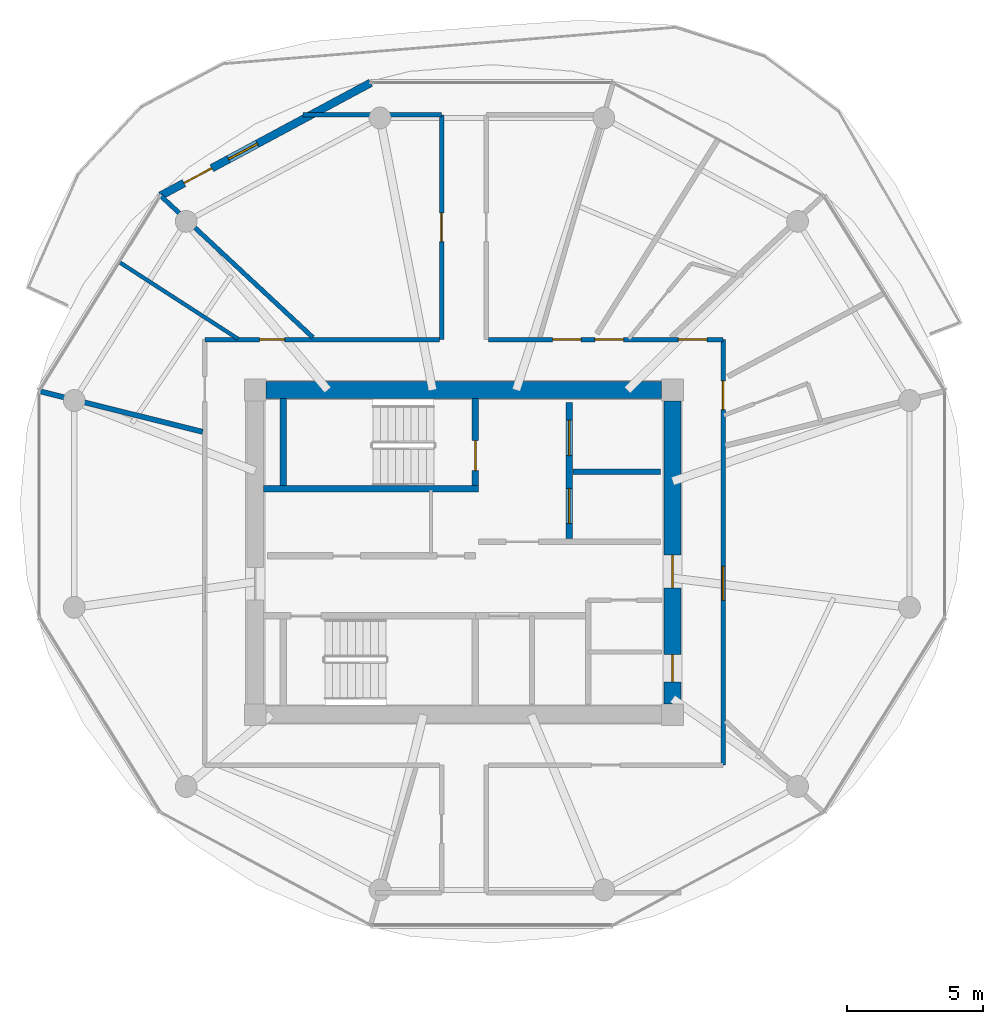
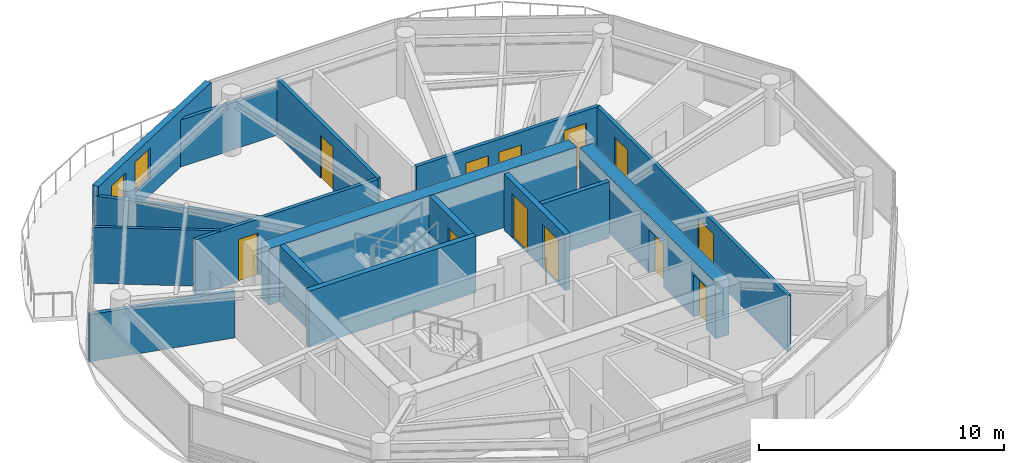
# One storey, part 13 of 21: 16 walls, 13 doors, 1 window, 14 openings.
"""IFC4 building model written with IfcOpenShell, lengths in metres."""

from ifc_helpers import new_model, si_unit, direction, frame, frame_2d, origin, place, context, subcontext, project, spatial, rectangle, extrude, source, transform, mapped, material, layer, layer_set, type_object, type_shapes, element, fill, save


model = new_model("IFC4")

# Units and contexts
model_context = context("Model", 3, precision=1e-05, world=origin(), true_north=direction((0.0, 1.0)))
body_context = subcontext(model_context, "Body", "Model", "MODEL_VIEW")
ifc_project = project(units=[si_unit("LENGTHUNIT", "METRE"), si_unit("AREAUNIT", "SQUARE_METRE"), si_unit("VOLUMEUNIT", "CUBIC_METRE"), si_unit("PLANEANGLEUNIT", "RADIAN"), si_unit("MASSUNIT", "GRAM", prefix="KILO")], contexts=[model_context])

# Site, building, storey
site_placement = place(None, origin())
site = spatial("IfcSite", under=ifc_project, at=site_placement, CompositionType="ELEMENT")
building_placement = place(site_placement, origin())
building = spatial("IfcBuilding", under=site, at=building_placement, Name="Norrkilde Senior Care Towers", CompositionType="ELEMENT")
storey_placement = place(building_placement, frame((0.0, 0.0, 149.550048828125)))
storey = spatial("IfcBuildingStorey", under=building, at=storey_placement, Name="L46", CompositionType="ELEMENT", Elevation=149.550048828125)

# Wall
ifc_material_1 = material(Name="Concrete C50/60", Category="concrete")
ifc_layer_1 = layer(ifc_material_1, 0.6201171875)
ifc_layer_set_1 = layer_set([ifc_layer_1], Name="Concrete C50/60")
wall_type_1 = type_object("IfcWallType", Name="Core Shear Wall Z3 620", PredefinedType="SHEAR", material=ifc_layer_set_1)
shared_shape_1 = source(origin(), body_context, "Body", "SweptSolid", [
    extrude(rectangle(XDim=14.5, YDim=0.6201171875, at=frame_2d((7.25, 0.0))), origin(), (0.0, 0.0, 1.0), 2.81005859375),
])
wall_1_placement = place(storey_placement, frame((-35.25, 5.949951171875, 0.0), z_axis=(0.0, 0.0, 1.0), x_axis=(1.0, 0.0, 0.0)))
element("IfcWall", 1, at=wall_1_placement, inside=storey, type_object=wall_type_1, Name="L46 Core W North Shear Wall", PredefinedType="SHEAR", context=body_context, shape_type="MappedRepresentation", body=[
    mapped(shared_shape_1, transform((0.0, 0.0, 0.0), x_axis=(1.0, 0.0, 0.0), y_axis=(0.0, 1.0, 0.0), z_axis=(0.0, 0.0, 1.0), scale=1.0)),
])

# Wall, openings, doors
shared_shape_2 = source(origin(), body_context, "Body", "SweptSolid", [
    extrude(rectangle(XDim=11.10009765625, YDim=0.6201171875, at=frame_2d((5.550048828125, 0.0))), origin(), (0.0, 0.0, 1.0), 2.81005859375),
])
type_shapes(wall_type_1, [shared_shape_1, shared_shape_2])
wall_2_placement = place(storey_placement, frame((-20.35009765625, 5.550048828125, 0.0), z_axis=(0.0, 0.0, 1.0), x_axis=(0.0, -1.0, 0.0)))
wall_2 = element("IfcWall", 2, at=wall_2_placement, inside=storey, type_object=wall_type_1, Name="L46 Core W East Shear Wall", PredefinedType="SHEAR", context=body_context, shape_type="MappedRepresentation", body=[
    mapped(shared_shape_2, transform((0.0, 0.0, 0.0), x_axis=(1.0, 0.0, 0.0), y_axis=(0.0, 1.0, 0.0), z_axis=(0.0, 0.0, 1.0), scale=1.0)),
])
opening_1_placement = place(wall_2_placement, frame((5.64990234375, 0.0, 0.0)))
opening_1 = element("IfcOpeningElement", 3, at=opening_1_placement, cuts=wall_2, Name="Opening D-04", PredefinedType="OPENING", context=body_context, shape_type="SweptSolid", body=[
    extrude(rectangle(XDim=1.199951171875, YDim=2.14990234375, at=frame_2d((0.60009765625, 1.074951171875))), frame((0.0, 0.320068359375, 0.0), z_axis=(0.0, -1.0, 0.0), x_axis=(1.0, 0.0, 0.0)), (0.0, 0.0, 1.0), 0.64013671875),
])
opening_2_placement = place(wall_2_placement, frame((9.300048828125, 0.0, 0.0)))
opening_2 = element("IfcOpeningElement", 4, at=opening_2_placement, cuts=wall_2, Name="Opening D-10", PredefinedType="OPENING", context=body_context, shape_type="SweptSolid", body=[
    extrude(rectangle(XDim=1.0, YDim=2.10009765625, at=frame_2d((0.5, 1.050048828125))), frame((0.0, 0.320068359375, 0.0), z_axis=(0.0, -1.0, 0.0), x_axis=(1.0, 0.0, 0.0)), (0.0, 0.0, 1.0), 0.64013671875),
])
ifc_material_2 = material(Name="Galvanised Painted Steel", Category="steel")
door_type_1 = type_object("IfcDoorType", Name="Firefighting Lobby Fire Door 1200x2150", OperationType="NOTDEFINED", PredefinedType="DOOR", material=ifc_material_2)
shared_shape_3 = source(origin(), body_context, "Body", "SweptSolid", [
    extrude(rectangle(XDim=1.199951171875, YDim=2.14990234375, at=frame_2d((0.60009765625, 1.074951171875))), frame((0.0, 0.02490234375, 0.0), z_axis=(0.0, -1.0, 0.0), x_axis=(1.0, 0.0, 0.0)), (0.0, 0.0, 1.0), 0.050048828125),
])
type_shapes(door_type_1, [shared_shape_3])
door_1_placement = place(opening_1_placement, frame((1.199951171875, 0.0, 0.0), z_axis=(0.0, 0.0, 1.0), x_axis=(-1.0, 0.0, 0.0)))
door_1 = element("IfcDoor", 5, at=door_1_placement, inside=storey, type_object=door_type_1, Name="L46 Core W East Portal Door", OperationType="SINGLE_SWING_RIGHT", OverallHeight=2.14990234375, OverallWidth=1.199951171875, PredefinedType="DOOR", context=body_context, shape_type="MappedRepresentation", body=[
    mapped(shared_shape_3, transform((0.0, 0.0, 0.0), x_axis=(1.0, 0.0, 0.0), y_axis=(0.0, 1.0, 0.0), z_axis=(0.0, 0.0, 1.0), scale=1.0)),
])
fill(opening_1, door_1)
door_type_2 = type_object("IfcDoorType", Name="Plant and Riser Rated Door 1000x2100", OperationType="NOTDEFINED", PredefinedType="DOOR", material=ifc_material_2)
shared_shape_4 = source(origin(), body_context, "Body", "SweptSolid", [
    extrude(rectangle(XDim=1.0, YDim=2.10009765625, at=frame_2d((0.5, 1.050048828125))), frame((0.0, 0.02490234375, 0.0), z_axis=(0.0, -1.0, 0.0), x_axis=(1.0, 0.0, 0.0)), (0.0, 0.0, 1.0), 0.050048828125),
])
type_shapes(door_type_2, [shared_shape_4])
door_2_placement = place(opening_2_placement, frame((1.0, 0.0, 0.0), z_axis=(0.0, 0.0, 1.0), x_axis=(-1.0, 0.0, 0.0)))
door_2 = element("IfcDoor", 6, at=door_2_placement, inside=storey, type_object=door_type_2, Name="L46 Ventilation Riser W Door", OperationType="SINGLE_SWING_RIGHT", OverallHeight=2.10009765625, OverallWidth=1.0, PredefinedType="DOOR", context=body_context, shape_type="MappedRepresentation", body=[
    mapped(shared_shape_4, transform((0.0, 0.0, 0.0), x_axis=(1.0, 0.0, 0.0), y_axis=(0.0, 1.0, 0.0), z_axis=(0.0, 0.0, 1.0), scale=1.0)),
])
fill(opening_2, door_2)

# Wall, openings, door, window
ifc_material_3 = material(Name="Precast concrete C45/55", Category="concrete")
ifc_layer_2 = layer(ifc_material_3, 0.2900390625)
ifc_layer_set_2 = layer_set([ifc_layer_2], Name="Precast concrete C45/55")
wall_type_2 = type_object("IfcWallType", Name="Winter Garden Facade Wall 290", PredefinedType="SOLIDWALL", material=ifc_layer_set_2)
shared_shape_5 = source(origin(), body_context, "Body", "SweptSolid", [
    extrude(rectangle(XDim=8.74169921875, YDim=0.2900390625, at=frame_2d((4.370849609375, 0.0))), origin(), (0.0, 0.0, 1.0), 2.81005859375),
])
type_shapes(wall_type_2, [shared_shape_5])
wall_3_placement = place(storey_placement, frame((-39.123046875, 13.074951171875, 0.0), z_axis=(0.0, 0.0, 1.0), x_axis=(0.880992489116, 0.473130250693, 0.0)))
wall_3 = element("IfcWall", 7, at=wall_3_placement, inside=storey, type_object=wall_type_2, Name="L46 Drum W Balcony Access Wall 03", PredefinedType="SOLIDWALL", context=body_context, shape_type="MappedRepresentation", body=[
    mapped(shared_shape_5, transform((0.0, 0.0, 0.0), x_axis=(1.0, 0.0, 0.0), y_axis=(0.0, 1.0, 0.0), z_axis=(0.0, 0.0, 1.0), scale=1.0)),
])
opening_3_placement = place(wall_3_placement, frame((0.97998046875, 0.0, 0.0)))
opening_3 = element("IfcOpeningElement", 8, at=opening_3_placement, cuts=wall_3, Name="Opening D-09", PredefinedType="OPENING", context=body_context, shape_type="SweptSolid", body=[
    extrude(rectangle(XDim=1.14990234375, YDim=2.25, at=frame_2d((0.574951171875, 1.125))), frame((0.0, 0.155029296875, 0.0), z_axis=(0.0, -1.0, 0.0), x_axis=(1.0, 0.0, 0.0)), (0.0, 0.0, 1.0), 0.31005859375),
])
opening_4_placement = place(wall_3_placement, frame((2.830078125, 0.0, 0.85009765625)))
opening_4 = element("IfcOpeningElement", 9, at=opening_4_placement, cuts=wall_3, Name="Opening WN-07", PredefinedType="OPENING", context=body_context, shape_type="SweptSolid", body=[
    extrude(rectangle(XDim=1.199951171875, YDim=1.5, at=frame_2d((0.60009765625, 0.75))), frame((0.0, 0.155029296875, 0.0), z_axis=(0.0, -1.0, 0.0), x_axis=(1.0, 0.0, 0.0)), (0.0, 0.0, 1.0), 0.31005859375),
])
ifc_material_4 = material(Name="Anodised Aluminium", Category="aluminium")
door_type_3 = type_object("IfcDoorType", Name="Terrace and Balcony Glazed Door 1150x2250", OperationType="NOTDEFINED", PredefinedType="DOOR", material=ifc_material_4)
shared_shape_6 = source(origin(), body_context, "Body", "SweptSolid", [
    extrude(rectangle(XDim=1.14990234375, YDim=2.25, at=frame_2d((0.574951171875, 1.125))), frame((0.0, 0.02490234375, 0.0), z_axis=(0.0, -1.0, 0.0), x_axis=(1.0, 0.0, 0.0)), (0.0, 0.0, 1.0), 0.050048828125),
])
type_shapes(door_type_3, [shared_shape_6])
door_3_placement = place(opening_3_placement, origin())
door_3 = element("IfcDoor", 10, at=door_3_placement, inside=storey, type_object=door_type_3, Name="L46 Drum W Outdoor Terrace Door 03", OperationType="SINGLE_SWING_RIGHT", OverallHeight=2.25, OverallWidth=1.14990234375, PredefinedType="DOOR", context=body_context, shape_type="MappedRepresentation", body=[
    mapped(shared_shape_6, transform((0.0, 0.0, 0.0), x_axis=(1.0, 0.0, 0.0), y_axis=(0.0, 1.0, 0.0), z_axis=(0.0, 0.0, 1.0), scale=1.0)),
])
fill(opening_3, door_3)
ifc_material_5 = material(Name="Triple Low-E Insulated Glazing", Category="glass")
window_type = type_object("IfcWindowType", Name="Stairwell Smoke Vent Window 1200x1500", PartitioningType="SINGLE_PANEL", PredefinedType="WINDOW", material=ifc_material_5)
shared_shape_7 = source(origin(), body_context, "Body", "SweptSolid", [
    extrude(rectangle(XDim=1.199951171875, YDim=1.5, at=frame_2d((0.60009765625, 0.75))), frame((0.0, 0.030029296875, 0.0), z_axis=(0.0, -1.0, 0.0), x_axis=(1.0, 0.0, 0.0)), (0.0, 0.0, 1.0), 0.06005859375),
])
type_shapes(window_type, [shared_shape_7])
window_placement = place(opening_4_placement, origin())
window = element("IfcWindow", 11, at=window_placement, inside=storey, type_object=window_type, Name="L46 Drum W Winter Garden Window 03", OverallHeight=1.5, OverallWidth=1.199951171875, PartitioningType="SINGLE_PANEL", PredefinedType="WINDOW", context=body_context, shape_type="MappedRepresentation", body=[
    mapped(shared_shape_7, transform((0.0, 0.0, 0.0), x_axis=(1.0, 0.0, 0.0), y_axis=(0.0, 1.0, 0.0), z_axis=(0.0, 0.0, 1.0), scale=1.0)),
])
fill(opening_4, window)

# Walls
ifc_material_6 = material(Name="Concrete C45/55", Category="concrete")
ifc_layer_3 = layer(ifc_material_6, 0.239990234375)
ifc_layer_set_3 = layer_set([ifc_layer_3], Name="Concrete C45/55")
wall_type_3 = type_object("IfcWallType", Name="Shaft and Stair Enclosure Wall 240", PredefinedType="PARTITIONING", material=ifc_layer_set_3)
shared_shape_8 = source(origin(), body_context, "Body", "SweptSolid", [
    extrude(rectangle(XDim=7.880126953125, YDim=0.239990234375, at=frame_2d((3.93994140625, 0.0))), origin(), (0.0, 0.0, 1.0), 2.81005859375),
])
wall_4_placement = place(storey_placement, frame((-35.340087890625, 2.330078125, 0.0), z_axis=(0.0, 0.0, 1.0), x_axis=(1.0, 0.0, 0.0)))
element("IfcWall", 12, at=wall_4_placement, inside=storey, type_object=wall_type_3, Name="WL-INT-L46-W-ST1S", PredefinedType="PARTITIONING", context=body_context, shape_type="MappedRepresentation", body=[
    mapped(shared_shape_8, transform((0.0, 0.0, 0.0), x_axis=(1.0, 0.0, 0.0), y_axis=(0.0, 1.0, 0.0), z_axis=(0.0, 0.0, 1.0), scale=1.0)),
])
shared_shape_9 = source(origin(), body_context, "Body", "SweptSolid", [
    extrude(rectangle(XDim=3.18994140625, YDim=0.239990234375, at=frame_2d((1.594970703125, 0.0))), origin(), (0.0, 0.0, 1.0), 2.81005859375),
])
type_shapes(wall_type_3, [shared_shape_8, shared_shape_9])
wall_5_placement = place(storey_placement, frame((-34.6201171875, 2.449951171875, 0.0), z_axis=(0.0, 0.0, 1.0), x_axis=(0.0, 1.0, 0.0)))
element("IfcWall", 13, at=wall_5_placement, inside=storey, type_object=wall_type_3, Name="WL-INT-L46-W-ST1W", PredefinedType="PARTITIONING", context=body_context, shape_type="MappedRepresentation", body=[
    mapped(shared_shape_9, transform((0.0, 0.0, 0.0), x_axis=(1.0, 0.0, 0.0), y_axis=(0.0, 1.0, 0.0), z_axis=(0.0, 0.0, 1.0), scale=1.0)),
])

# Wall, opening, door
wall_6_placement = place(storey_placement, frame((-27.580078125, 2.449951171875, 0.0), z_axis=(0.0, 0.0, 1.0), x_axis=(0.0, 1.0, 0.0)))
wall_6 = element("IfcWall", 14, at=wall_6_placement, inside=storey, type_object=wall_type_3, Name="WL-INT-L46-W-ST1E", PredefinedType="PARTITIONING", context=body_context, shape_type="MappedRepresentation", body=[
    mapped(shared_shape_9, transform((0.0, 0.0, 0.0), x_axis=(1.0, 0.0, 0.0), y_axis=(0.0, 1.0, 0.0), z_axis=(0.0, 0.0, 1.0), scale=1.0)),
])
opening_5_placement = place(wall_6_placement, frame((0.550048828125, 0.0, 0.0)))
opening_5 = element("IfcOpeningElement", 15, at=opening_5_placement, cuts=wall_6, Name="Opening D-03", PredefinedType="OPENING", context=body_context, shape_type="SweptSolid", body=[
    extrude(rectangle(XDim=1.10009765625, YDim=2.14990234375, at=frame_2d((0.550048828125, 1.074951171875))), frame((0.0, 0.1298828125, 0.0), z_axis=(0.0, -1.0, 0.0), x_axis=(1.0, 0.0, 0.0)), (0.0, 0.0, 1.0), 0.260009765625),
])
door_type_4 = type_object("IfcDoorType", Name="Stairwell Protected Fire Door 1100x2150", OperationType="NOTDEFINED", PredefinedType="DOOR", material=ifc_material_2)
shared_shape_10 = source(origin(), body_context, "Body", "SweptSolid", [
    extrude(rectangle(XDim=1.10009765625, YDim=2.14990234375, at=frame_2d((0.550048828125, 1.074951171875))), frame((0.0, 0.02490234375, 0.0), z_axis=(0.0, -1.0, 0.0), x_axis=(1.0, 0.0, 0.0)), (0.0, 0.0, 1.0), 0.050048828125),
])
type_shapes(door_type_4, [shared_shape_10])
door_4_placement = place(opening_5_placement, origin())
door_4 = element("IfcDoor", 16, at=door_4_placement, inside=storey, type_object=door_type_4, Name="L46 Stair W1 Fire Door", OperationType="SINGLE_SWING_LEFT", OverallHeight=2.14990234375, OverallWidth=1.10009765625, PredefinedType="DOOR", context=body_context, shape_type="MappedRepresentation", body=[
    mapped(shared_shape_10, transform((0.0, 0.0, 0.0), x_axis=(1.0, 0.0, 0.0), y_axis=(0.0, 1.0, 0.0), z_axis=(0.0, 0.0, 1.0), scale=1.0)),
])
fill(opening_5, door_4)

# Wall, openings, doors
ifc_layer_4 = layer(ifc_material_6, 0.239990234375)
ifc_layer_set_4 = layer_set([ifc_layer_4], Name="Concrete C45/55")
wall_type_4 = type_object("IfcWallType", Name="Lift and Plant Rated Enclosure Partition 240", PredefinedType="PARTITIONING", material=ifc_layer_set_4)
shared_shape_11 = source(origin(), body_context, "Body", "SweptSolid", [
    extrude(rectangle(XDim=5.0, YDim=0.239990234375, at=frame_2d((2.5, 0.0))), origin(), (0.0, 0.0, 1.0), 2.794921875),
])
type_shapes(wall_type_4, [shared_shape_11])
wall_7_placement = place(storey_placement, frame((-24.139892578125, 0.5, 0.0), z_axis=(0.0, 0.0, 1.0), x_axis=(0.0, 1.0, 0.0)))
wall_7 = element("IfcWall", 17, at=wall_7_placement, inside=storey, type_object=wall_type_4, Name="WL-INT-L46-W-FFLE", PredefinedType="PARTITIONING", context=body_context, shape_type="MappedRepresentation", body=[
    mapped(shared_shape_11, transform((0.0, 0.0, 0.0), x_axis=(1.0, 0.0, 0.0), y_axis=(0.0, 1.0, 0.0), z_axis=(0.0, 0.0, 1.0), scale=1.0)),
])
opening_6_placement = place(wall_7_placement, frame((3.050048828125, 0.0, 0.0)))
opening_6 = element("IfcOpeningElement", 18, at=opening_6_placement, cuts=wall_7, Name="Opening LD-02", PredefinedType="OPENING", context=body_context, shape_type="SweptSolid", body=[
    extrude(rectangle(XDim=1.300048828125, YDim=2.199951171875, at=frame_2d((0.64990234375, 1.10009765625))), frame((0.0, 0.1298828125, 0.0), z_axis=(0.0, -1.0, 0.0), x_axis=(1.0, 0.0, 0.0)), (0.0, 0.0, 1.0), 0.260009765625),
])
opening_7_placement = place(wall_7_placement, frame((0.550048828125, 0.0, 0.0)))
opening_7 = element("IfcOpeningElement", 19, at=opening_7_placement, cuts=wall_7, Name="Opening LD-02", PredefinedType="OPENING", context=body_context, shape_type="SweptSolid", body=[
    extrude(rectangle(XDim=1.300048828125, YDim=2.199951171875, at=frame_2d((0.64990234375, 1.10009765625))), frame((0.0, 0.1298828125, 0.0), z_axis=(0.0, -1.0, 0.0), x_axis=(1.0, 0.0, 0.0)), (0.0, 0.0, 1.0), 0.260009765625),
])
ifc_material_7 = material(Name="Stainless Steel", Category="steel")
door_type_5 = type_object("IfcDoorType", Name="Stretcher and FFL Landing Sliding Door 1300x2200", OperationType="NOTDEFINED", PredefinedType="DOOR", material=ifc_material_7)
shared_shape_12 = source(origin(), body_context, "Body", "SweptSolid", [
    extrude(rectangle(XDim=1.300048828125, YDim=2.199951171875, at=frame_2d((0.64990234375, 1.10009765625))), frame((0.0, 0.02490234375, 0.0), z_axis=(0.0, -1.0, 0.0), x_axis=(1.0, 0.0, 0.0)), (0.0, 0.0, 1.0), 0.050048828125),
])
type_shapes(door_type_5, [shared_shape_12])
door_5_placement = place(opening_6_placement, origin())
door_5 = element("IfcDoor", 20, at=door_5_placement, inside=storey, type_object=door_type_5, Name="L46 Firefighting Lift W1 Landing Door", OperationType="SLIDING_TO_LEFT", OverallHeight=2.199951171875, OverallWidth=1.300048828125, PredefinedType="DOOR", context=body_context, shape_type="MappedRepresentation", body=[
    mapped(shared_shape_12, transform((0.0, 0.0, 0.0), x_axis=(1.0, 0.0, 0.0), y_axis=(0.0, 1.0, 0.0), z_axis=(0.0, 0.0, 1.0), scale=1.0)),
])
fill(opening_6, door_5)
door_6_placement = place(opening_7_placement, origin())
door_6 = element("IfcDoor", 21, at=door_6_placement, inside=storey, type_object=door_type_5, Name="L46 Stretcher Lift W1 Landing Door", OperationType="SLIDING_TO_RIGHT", OverallHeight=2.199951171875, OverallWidth=1.300048828125, PredefinedType="DOOR", context=body_context, shape_type="MappedRepresentation", body=[
    mapped(shared_shape_12, transform((0.0, 0.0, 0.0), x_axis=(1.0, 0.0, 0.0), y_axis=(0.0, 1.0, 0.0), z_axis=(0.0, 0.0, 1.0), scale=1.0)),
])
fill(opening_7, door_6)

# Wall
ifc_layer_5 = layer(ifc_material_6, 0.199951171875)
ifc_layer_set_5 = layer_set([ifc_layer_5], Name="Concrete C45/55")
wall_type_5 = type_object("IfcWallType", Name="Shaft Division and Plant Partition 200", PredefinedType="PARTITIONING", material=ifc_layer_set_5)
shared_shape_13 = source(origin(), body_context, "Body", "SweptSolid", [
    extrude(rectangle(XDim=3.199951171875, YDim=0.199951171875, at=frame_2d((1.60009765625, 0.0))), origin(), (0.0, 0.0, 1.0), 2.794921875),
])
type_shapes(wall_type_5, [shared_shape_13])
wall_8_placement = place(storey_placement, frame((-24.0, 2.949951171875, 0.0), z_axis=(0.0, 0.0, 1.0), x_axis=(1.0, 0.0, 0.0)))
element("IfcWall", 22, at=wall_8_placement, inside=storey, type_object=wall_type_5, Name="WL-INT-L46-W-FFLDIV", PredefinedType="PARTITIONING", context=body_context, shape_type="MappedRepresentation", body=[
    mapped(shared_shape_13, transform((0.0, 0.0, 0.0), x_axis=(1.0, 0.0, 0.0), y_axis=(0.0, 1.0, 0.0), z_axis=(0.0, 0.0, 1.0), scale=1.0)),
])

# Wall, opening, door
ifc_material_8 = material(Name="Gypsum Acoustic Board")
ifc_layer_6 = layer(ifc_material_8, 0.1650390625)
ifc_layer_set_6 = layer_set([ifc_layer_6], Name="Gypsum Acoustic Board")
wall_type_6 = type_object("IfcWallType", Name="Corridor Rated Partition 165", PredefinedType="PARTITIONING", material=ifc_layer_set_6)
shared_shape_14 = source(origin(), body_context, "Body", "SweptSolid", [
    extrude(rectangle(XDim=8.60009765625, YDim=0.1650390625, at=frame_2d((4.300048828125, 0.0))), origin(), (0.0, 0.0, 1.0), 2.794921875),
])
wall_9_placement = place(storey_placement, frame((-37.5, 7.800048828125, 0.0), z_axis=(0.0, 0.0, 1.0), x_axis=(1.0, 0.0, 0.0)))
wall_9 = element("IfcWall", 23, at=wall_9_placement, inside=storey, type_object=wall_type_6, Name="WL-INT-L46-W-CRW-N-0", PredefinedType="PARTITIONING", context=body_context, shape_type="MappedRepresentation", body=[
    mapped(shared_shape_14, transform((0.0, 0.0, 0.0), x_axis=(1.0, 0.0, 0.0), y_axis=(0.0, 1.0, 0.0), z_axis=(0.0, 0.0, 1.0), scale=1.0)),
])
opening_8_placement = place(wall_9_placement, frame((2.008544921875, 0.0, 0.0)))
opening_8 = element("IfcOpeningElement", 24, at=opening_8_placement, cuts=wall_9, Name="Opening D-08", PredefinedType="OPENING", context=body_context, shape_type="SweptSolid", body=[
    extrude(rectangle(XDim=0.919921875, YDim=2.10009765625, at=frame_2d((0.4599609375, 1.050048828125))), frame((0.0, 0.092529296875, 0.0), z_axis=(0.0, -1.0, 0.0), x_axis=(1.0, 0.0, 0.0)), (0.0, 0.0, 1.0), 0.18505859375),
])
ifc_material_9 = material(Name="Nordic Ash Timber", Category="wood")
door_type_6 = type_object("IfcDoorType", Name="Accessible Wet Room Door 920x2100", OperationType="NOTDEFINED", PredefinedType="DOOR", material=ifc_material_9)
shared_shape_15 = source(origin(), body_context, "Body", "SweptSolid", [
    extrude(rectangle(XDim=0.919921875, YDim=2.10009765625, at=frame_2d((0.4599609375, 1.050048828125))), frame((0.0, 0.02490234375, 0.0), z_axis=(0.0, -1.0, 0.0), x_axis=(1.0, 0.0, 0.0)), (0.0, 0.0, 1.0), 0.050048828125),
])
type_shapes(door_type_6, [shared_shape_15])
door_7_placement = place(opening_8_placement, frame((0.919921875, 0.0, 0.0), z_axis=(0.0, 0.0, 1.0), x_axis=(-1.0, 0.0, 0.0)))
door_7 = element("IfcDoor", 25, at=door_7_placement, inside=storey, type_object=door_type_6, Name="L46 Accessible Restroom Door", OperationType="SINGLE_SWING_LEFT", OverallHeight=2.10009765625, OverallWidth=0.919921875, PredefinedType="DOOR", context=body_context, shape_type="MappedRepresentation", body=[
    mapped(shared_shape_15, transform((0.0, 0.0, 0.0), x_axis=(1.0, 0.0, 0.0), y_axis=(0.0, 1.0, 0.0), z_axis=(0.0, 0.0, 1.0), scale=1.0)),
])
fill(opening_8, door_7)

# Wall, openings, doors
wall_10_placement = place(storey_placement, frame((-27.10009765625, 7.800048828125, 0.0), z_axis=(0.0, 0.0, 1.0), x_axis=(1.0, 0.0, 0.0)))
wall_10 = element("IfcWall", 26, at=wall_10_placement, inside=storey, type_object=wall_type_6, Name="WL-INT-L46-W-CRW-N-1", PredefinedType="PARTITIONING", context=body_context, shape_type="MappedRepresentation", body=[
    mapped(shared_shape_14, transform((0.0, 0.0, 0.0), x_axis=(1.0, 0.0, 0.0), y_axis=(0.0, 1.0, 0.0), z_axis=(0.0, 0.0, 1.0), scale=1.0)),
])
opening_9_placement = place(wall_10_placement, frame((6.9599609375, 0.0, 0.0)))
opening_9 = element("IfcOpeningElement", 27, at=opening_9_placement, cuts=wall_10, Name="Opening D-06", PredefinedType="OPENING", context=body_context, shape_type="SweptSolid", body=[
    extrude(rectangle(XDim=1.050048828125, YDim=2.14990234375, at=frame_2d((0.52490234375, 1.074951171875))), frame((0.0, 0.092529296875, 0.0), z_axis=(0.0, -1.0, 0.0), x_axis=(1.0, 0.0, 0.0)), (0.0, 0.0, 1.0), 0.18505859375),
])
opening_10_placement = place(wall_10_placement, frame((3.904052734375, 0.0, 0.0)))
opening_10 = element("IfcOpeningElement", 28, at=opening_10_placement, cuts=wall_10, Name="Opening D-06", PredefinedType="OPENING", context=body_context, shape_type="SweptSolid", body=[
    extrude(rectangle(XDim=1.050048828125, YDim=2.14990234375, at=frame_2d((0.52490234375, 1.074951171875))), frame((0.0, 0.092529296875, 0.0), z_axis=(0.0, -1.0, 0.0), x_axis=(1.0, 0.0, 0.0)), (0.0, 0.0, 1.0), 0.18505859375),
])
opening_11_placement = place(wall_10_placement, frame((2.347412109375, 0.0, 0.0)))
opening_11 = element("IfcOpeningElement", 29, at=opening_11_placement, cuts=wall_10, Name="Opening D-06", PredefinedType="OPENING", context=body_context, shape_type="SweptSolid", body=[
    extrude(rectangle(XDim=1.050048828125, YDim=2.14990234375, at=frame_2d((0.52490234375, 1.074951171875))), frame((0.0, 0.092529296875, 0.0), z_axis=(0.0, -1.0, 0.0), x_axis=(1.0, 0.0, 0.0)), (0.0, 0.0, 1.0), 0.18505859375),
])
door_type_7 = type_object("IfcDoorType", Name="Apartment Entrance Fire Door 1050x2150", OperationType="NOTDEFINED", PredefinedType="DOOR", material=ifc_material_9)
shared_shape_16 = source(origin(), body_context, "Body", "SweptSolid", [
    extrude(rectangle(XDim=1.050048828125, YDim=2.14990234375, at=frame_2d((0.52490234375, 1.074951171875))), frame((0.0, 0.02490234375, 0.0), z_axis=(0.0, -1.0, 0.0), x_axis=(1.0, 0.0, 0.0)), (0.0, 0.0, 1.0), 0.050048828125),
])
type_shapes(door_type_7, [shared_shape_16])
door_8_placement = place(opening_9_placement, frame((1.050048828125, 0.0, 0.0), z_axis=(0.0, 0.0, 1.0), x_axis=(-1.0, 0.0, 0.0)))
door_8 = element("IfcDoor", 30, at=door_8_placement, inside=storey, type_object=door_type_7, Name="L46 Therapy Day Lounge 00 Door", OperationType="SINGLE_SWING_RIGHT", OverallHeight=2.14990234375, OverallWidth=1.050048828125, PredefinedType="DOOR", context=body_context, shape_type="MappedRepresentation", body=[
    mapped(shared_shape_16, transform((0.0, 0.0, 0.0), x_axis=(1.0, 0.0, 0.0), y_axis=(0.0, 1.0, 0.0), z_axis=(0.0, 0.0, 1.0), scale=1.0)),
])
fill(opening_9, door_8)
door_9_placement = place(opening_10_placement, frame((1.050048828125, 0.0, 0.0), z_axis=(0.0, 0.0, 1.0), x_axis=(-1.0, 0.0, 0.0)))
door_9 = element("IfcDoor", 31, at=door_9_placement, inside=storey, type_object=door_type_7, Name="L46 Care Suite 4601A Entrance Door", OperationType="SINGLE_SWING_LEFT", OverallHeight=2.14990234375, OverallWidth=1.050048828125, PredefinedType="DOOR", context=body_context, shape_type="MappedRepresentation", body=[
    mapped(shared_shape_16, transform((0.0, 0.0, 0.0), x_axis=(1.0, 0.0, 0.0), y_axis=(0.0, 1.0, 0.0), z_axis=(0.0, 0.0, 1.0), scale=1.0)),
])
fill(opening_10, door_9)
door_10_placement = place(opening_11_placement, frame((1.050048828125, 0.0, 0.0), z_axis=(0.0, 0.0, 1.0), x_axis=(-1.0, 0.0, 0.0)))
door_10 = element("IfcDoor", 32, at=door_10_placement, inside=storey, type_object=door_type_7, Name="L46 Therapy Day Lounge 01 Door", OperationType="SINGLE_SWING_LEFT", OverallHeight=2.14990234375, OverallWidth=1.050048828125, PredefinedType="DOOR", context=body_context, shape_type="MappedRepresentation", body=[
    mapped(shared_shape_16, transform((0.0, 0.0, 0.0), x_axis=(1.0, 0.0, 0.0), y_axis=(0.0, 1.0, 0.0), z_axis=(0.0, 0.0, 1.0), scale=1.0)),
])
fill(opening_11, door_10)

shared_shape_17 = source(origin(), body_context, "Body", "SweptSolid", [
    extrude(rectangle(XDim=15.60009765625, YDim=0.1650390625, at=frame_2d((7.800048828125, 0.0))), origin(), (0.0, 0.0, 1.0), 2.794921875),
])
wall_11_placement = place(storey_placement, frame((-18.5, 7.800048828125, 0.0), z_axis=(0.0, 0.0, 1.0), x_axis=(0.0, -1.0, 0.0)))
wall_11 = element("IfcWall", 33, at=wall_11_placement, inside=storey, type_object=wall_type_6, Name="WL-INT-L46-W-CRW-E-0", PredefinedType="PARTITIONING", context=body_context, shape_type="MappedRepresentation", body=[
    mapped(shared_shape_17, transform((0.0, 0.0, 0.0), x_axis=(1.0, 0.0, 0.0), y_axis=(0.0, 1.0, 0.0), z_axis=(0.0, 0.0, 1.0), scale=1.0)),
])
opening_12_placement = place(wall_11_placement, frame((8.31396484375, 0.0, 0.0)))
opening_12 = element("IfcOpeningElement", 34, at=opening_12_placement, cuts=wall_11, Name="Opening D-05", PredefinedType="OPENING", context=body_context, shape_type="SweptSolid", body=[
    extrude(rectangle(XDim=1.25, YDim=2.199951171875, at=frame_2d((0.625, 1.10009765625))), frame((0.0, 0.092529296875, 0.0), z_axis=(0.0, -1.0, 0.0), x_axis=(1.0, 0.0, 0.0)), (0.0, 0.0, 1.0), 0.18505859375),
])
opening_13_placement = place(wall_11_placement, frame((1.514892578125, 0.0, 0.0)))
opening_13 = element("IfcOpeningElement", 35, at=opening_13_placement, cuts=wall_11, Name="Opening D-06", PredefinedType="OPENING", context=body_context, shape_type="SweptSolid", body=[
    extrude(rectangle(XDim=1.050048828125, YDim=2.14990234375, at=frame_2d((0.52490234375, 1.074951171875))), frame((0.0, 0.092529296875, 0.0), z_axis=(0.0, -1.0, 0.0), x_axis=(1.0, 0.0, 0.0)), (0.0, 0.0, 1.0), 0.18505859375),
])
door_type_8 = type_object("IfcDoorType", Name="Care Bedroom Bariatric Door 1250x2200", OperationType="NOTDEFINED", PredefinedType="DOOR", material=ifc_material_9)
shared_shape_18 = source(origin(), body_context, "Body", "SweptSolid", [
    extrude(rectangle(XDim=1.25, YDim=2.199951171875, at=frame_2d((0.625, 1.10009765625))), frame((0.0, 0.02490234375, 0.0), z_axis=(0.0, -1.0, 0.0), x_axis=(1.0, 0.0, 0.0)), (0.0, 0.0, 1.0), 0.050048828125),
])
type_shapes(door_type_8, [shared_shape_18])
door_11_placement = place(opening_12_placement, frame((1.25, 0.0, 0.0), z_axis=(0.0, 0.0, 1.0), x_axis=(-1.0, 0.0, 0.0)))
door_11 = element("IfcDoor", 36, at=door_11_placement, inside=storey, type_object=door_type_8, Name="L46 Resident Therapeutic Day Lounge Door", OperationType="SINGLE_SWING_LEFT", OverallHeight=2.199951171875, OverallWidth=1.25, PredefinedType="DOOR", context=body_context, shape_type="MappedRepresentation", body=[
    mapped(shared_shape_18, transform((0.0, 0.0, 0.0), x_axis=(1.0, 0.0, 0.0), y_axis=(0.0, 1.0, 0.0), z_axis=(0.0, 0.0, 1.0), scale=1.0)),
])
fill(opening_12, door_11)
door_12_placement = place(opening_13_placement, frame((1.050048828125, 0.0, 0.0), z_axis=(0.0, 0.0, 1.0), x_axis=(-1.0, 0.0, 0.0)))
door_12 = element("IfcDoor", 37, at=door_12_placement, inside=storey, type_object=door_type_7, Name="L46 Care Suite 4600A Entrance Door", OperationType="SINGLE_SWING_RIGHT", OverallHeight=2.14990234375, OverallWidth=1.050048828125, PredefinedType="DOOR", context=body_context, shape_type="MappedRepresentation", body=[
    mapped(shared_shape_16, transform((0.0, 0.0, 0.0), x_axis=(1.0, 0.0, 0.0), y_axis=(0.0, 1.0, 0.0), z_axis=(0.0, 0.0, 1.0), scale=1.0)),
])
fill(opening_13, door_12)

# Wall
shared_shape_19 = source(origin(), body_context, "Body", "SweptSolid", [
    extrude(rectangle(XDim=7.64794921875, YDim=0.1650390625, at=frame_2d((3.823974609375, 0.0))), origin(), (0.0, 0.0, 1.0), 2.344970703125),
])
wall_12_placement = place(storey_placement, frame((-33.53759765625, 7.8798828125, 0.0), z_axis=(0.0, 0.0, 1.0), x_axis=(-0.732167856666, 0.681124239522, 0.0)))
element("IfcWall", 38, at=wall_12_placement, inside=storey, type_object=wall_type_6, Name="WL-INT-L46-W-DEM-04-0", PredefinedType="PARTITIONING", context=body_context, shape_type="MappedRepresentation", body=[
    mapped(shared_shape_19, transform((0.0, 0.0, 0.0), x_axis=(1.0, 0.0, 0.0), y_axis=(0.0, 1.0, 0.0), z_axis=(0.0, 0.0, 1.0), scale=1.0)),
])

# Wall, opening, door
shared_shape_20 = source(origin(), body_context, "Body", "SweptSolid", [
    extrude(rectangle(XDim=8.2353515625, YDim=0.1650390625, at=frame_2d((4.11767578125, 0.0))), origin(), (0.0, 0.0, 1.0), 2.794921875),
])
wall_13_placement = place(storey_placement, frame((-28.820068359375, 7.800048828125, 0.0), z_axis=(0.0, 0.0, 1.0), x_axis=(0.0, 1.0, 0.0)))
wall_13 = element("IfcWall", 39, at=wall_13_placement, inside=storey, type_object=wall_type_6, Name="WL-INT-L46-W-PKW-NWL", PredefinedType="PARTITIONING", context=body_context, shape_type="MappedRepresentation", body=[
    mapped(shared_shape_20, transform((0.0, 0.0, 0.0), x_axis=(1.0, 0.0, 0.0), y_axis=(0.0, 1.0, 0.0), z_axis=(0.0, 0.0, 1.0), scale=1.0)),
])
opening_14_placement = place(wall_13_placement, frame((3.5927734375, 0.0, 0.0)))
opening_14 = element("IfcOpeningElement", 40, at=opening_14_placement, cuts=wall_13, Name="Opening D-06", PredefinedType="OPENING", context=body_context, shape_type="SweptSolid", body=[
    extrude(rectangle(XDim=1.050048828125, YDim=2.14990234375, at=frame_2d((0.52490234375, 1.074951171875))), frame((0.0, 0.092529296875, 0.0), z_axis=(0.0, -1.0, 0.0), x_axis=(1.0, 0.0, 0.0)), (0.0, 0.0, 1.0), 0.18505859375),
])
door_13_placement = place(opening_14_placement, frame((1.050048828125, 0.0, 0.0), z_axis=(0.0, 0.0, 1.0), x_axis=(-1.0, 0.0, 0.0)))
door_13 = element("IfcDoor", 41, at=door_13_placement, inside=storey, type_object=door_type_7, Name="L46 Reading Lounge NWL Door", OperationType="SINGLE_SWING_RIGHT", OverallHeight=2.14990234375, OverallWidth=1.050048828125, PredefinedType="DOOR", context=body_context, shape_type="MappedRepresentation", body=[
    mapped(shared_shape_16, transform((0.0, 0.0, 0.0), x_axis=(1.0, 0.0, 0.0), y_axis=(0.0, 1.0, 0.0), z_axis=(0.0, 0.0, 1.0), scale=1.0)),
])
fill(opening_14, door_13)

# Walls
shared_shape_21 = source(origin(), body_context, "Body", "SweptSolid", [
    extrude(rectangle(XDim=5.0888671875, YDim=0.1650390625, at=frame_2d((2.54443359375, 0.0))), origin(), (0.0, 0.0, 1.0), 2.344970703125),
])
type_shapes(wall_type_6, [shared_shape_14, shared_shape_17, shared_shape_19, shared_shape_20, shared_shape_21])
wall_14_placement = place(storey_placement, frame((-33.908935546875, 16.035400390625, 0.0), z_axis=(0.0, 0.0, 1.0), x_axis=(1.0, 0.0, 0.0)))
element("IfcWall", 42, at=wall_14_placement, inside=storey, type_object=wall_type_6, Name="WL-INT-L46-W-PKH-NWL-0", PredefinedType="PARTITIONING", context=body_context, shape_type="MappedRepresentation", body=[
    mapped(shared_shape_21, transform((0.0, 0.0, 0.0), x_axis=(1.0, 0.0, 0.0), y_axis=(0.0, 1.0, 0.0), z_axis=(0.0, 0.0, 1.0), scale=1.0)),
])
ifc_layer_7 = layer(ifc_material_8, 0.18994140625)
ifc_layer_set_7 = layer_set([ifc_layer_7], Name="Gypsum Acoustic Board")
wall_type_7 = type_object("IfcWallType", Name="Unit Demising Acoustic Wall 190", PredefinedType="PARTITIONING", material=ifc_layer_set_7)
shared_shape_22 = source(origin(), body_context, "Body", "SweptSolid", [
    extrude(rectangle(XDim=6.192626953125, YDim=0.18994140625, at=frame_2d((3.09619140625, 0.0))), origin(), (0.0, 0.0, 1.0), 2.344970703125),
])
type_shapes(wall_type_7, [shared_shape_22])
wall_15_placement = place(storey_placement, frame((-37.580078125, 4.418701171875, 0.0), z_axis=(0.0, 0.0, 1.0), x_axis=(-0.970309243466, 0.241867674657, 0.0)))
element("IfcWall", 43, at=wall_15_placement, inside=storey, type_object=wall_type_7, Name="WL-INT-L46-W-DEM-05-0", PredefinedType="PARTITIONING", context=body_context, shape_type="MappedRepresentation", body=[
    mapped(shared_shape_22, transform((0.0, 0.0, 0.0), x_axis=(1.0, 0.0, 0.0), y_axis=(0.0, 1.0, 0.0), z_axis=(0.0, 0.0, 1.0), scale=1.0)),
])
ifc_layer_8 = layer(ifc_material_8, 0.139892578125)
ifc_layer_set_8 = layer_set([ifc_layer_8], Name="Gypsum Acoustic Board")
wall_type_8 = type_object("IfcWallType", Name="En-suite Wet Room Wall 140", PredefinedType="PARTITIONING", material=ifc_layer_set_8)
shared_shape_23 = source(origin(), body_context, "Body", "SweptSolid", [
    extrude(rectangle(XDim=5.19677734375, YDim=0.139892578125, at=frame_2d((2.598388671875, 0.0))), origin(), (0.0, 0.0, 1.0), 2.794921875),
])
type_shapes(wall_type_8, [shared_shape_23])
wall_16_placement = place(storey_placement, frame((-36.285888671875, 7.830078125, 0.0), z_axis=(0.0, 0.0, 1.0), x_axis=(-0.839929187515, 0.542696010637, 0.0)))
element("IfcWall", 44, at=wall_16_placement, inside=storey, type_object=wall_type_8, Name="WL-INT-L46-W-MID-04", PredefinedType="PARTITIONING", context=body_context, shape_type="MappedRepresentation", body=[
    mapped(shared_shape_23, transform((0.0, 0.0, 0.0), x_axis=(1.0, 0.0, 0.0), y_axis=(0.0, 1.0, 0.0), z_axis=(0.0, 0.0, 1.0), scale=1.0)),
])

save(model, "model.ifc")
